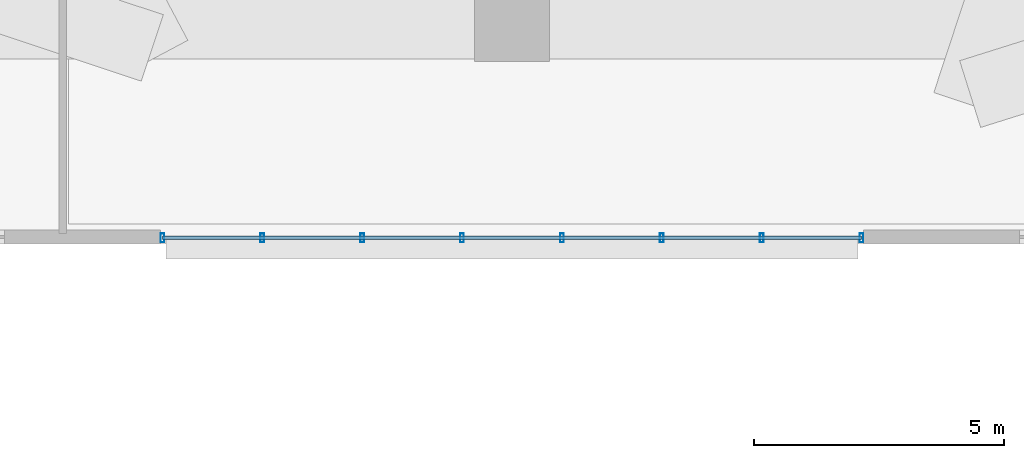
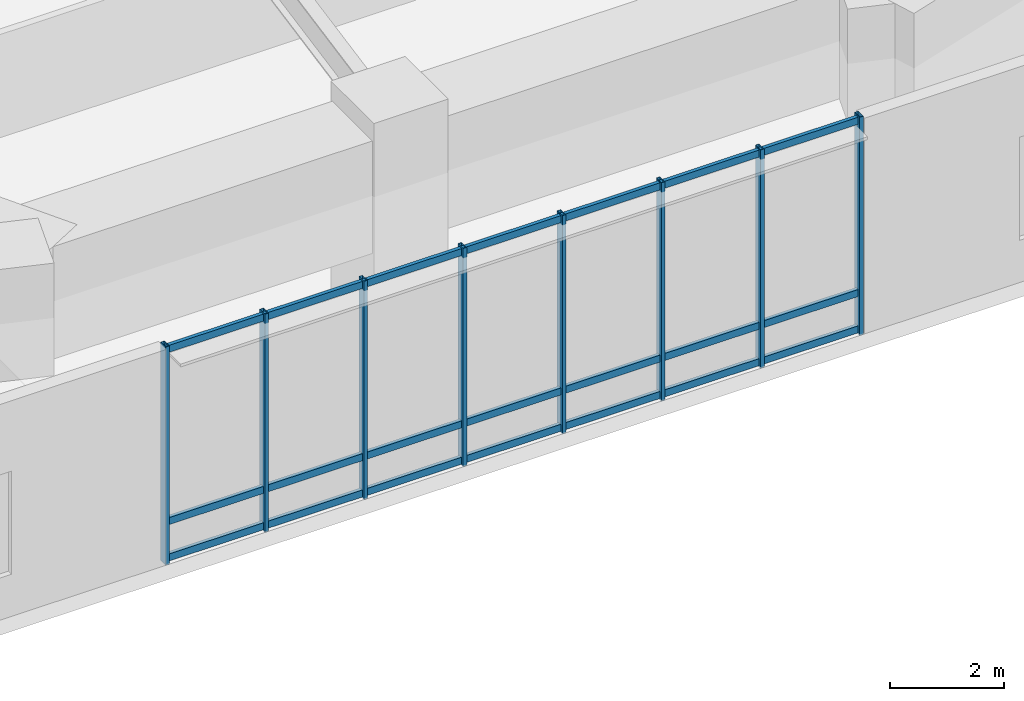
# One storey, part 5 of 26: 11 members, 1 element without a shape of its own.
"""IFC4 building model written with IfcOpenShell, lengths in metres."""

from ifc_helpers import new_model, si_unit, direction, frame, origin, origin_2d, place, context, subcontext, project, spatial, hollow_rectangle, extrude, material, material_profile, profile_set, type_object, element, aggregate, save


model = new_model("IFC4")

# Units and contexts
model_context = context("Model", 3, precision=1e-05, world=origin(), true_north=direction((0.0, 1.0)))
body_context = subcontext(model_context, "Body", "Model", "MODEL_VIEW")
ifc_project = project(units=[si_unit("LENGTHUNIT", "METRE"), si_unit("AREAUNIT", "SQUARE_METRE"), si_unit("VOLUMEUNIT", "CUBIC_METRE"), si_unit("PLANEANGLEUNIT", "RADIAN"), si_unit("MASSUNIT", "GRAM", prefix="KILO")], contexts=[model_context])

# Site, building, storey
site_placement = place(None, origin())
site = spatial("IfcSite", under=ifc_project, at=site_placement, CompositionType="ELEMENT")
building_placement = place(site_placement, origin())
building = spatial("IfcBuilding", under=site, at=building_placement, Name="Zulverin Broadcast Headquarters", CompositionType="ELEMENT")
storey_placement = place(building_placement, frame((0.0, 0.0, 20.0)))
storey = spatial("IfcBuildingStorey", under=building, at=storey_placement, Name="L04", CompositionType="ELEMENT", Elevation=20.0)

# Curtain wall, members
ifc_material_1 = material(Name="Pale-metal unitised podium curtain wall", Category="aluminium")
curtain_wall_type = type_object("IfcCurtainWallType", Name="CW-POD", PredefinedType="USERDEFINED", material=ifc_material_1)
curtain_wall_placement = place(storey_placement, origin())
curtain_wall = element("IfcCurtainWall", 1, at=curtain_wall_placement, inside=storey, type_object=curtain_wall_type, Name="L04 Unitised Curtain Wall CW-L04-S4", ObjectType="UNITISED CURTAIN WALL", PredefinedType="USERDEFINED")
ifc_material_2 = material(Name="Anodized pale-metal aluminium alloy 6063-T6", Category="aluminium")
ifc_material_profile_1 = material_profile(ifc_material_2, hollow_rectangle(XDim=0.074951171875, YDim=0.179931640625, WallThickness=0.0048828125, at=origin_2d()), Name="Anodized pale-metal aluminium alloy 6063-T6", Category="aluminium")
ifc_profile_set_1 = profile_set([ifc_material_profile_1], Name="Anodized pale-metal aluminium alloy 6063-T6")
member_type_1 = type_object("IfcMemberType", Name="CW-MUL-180", PredefinedType="MULLION", material=ifc_profile_set_1)
member_1_placement = place(storey_placement, frame((30.0, 0.1201171875, -0.030029296875), z_axis=(0.0, 0.0, 1.0), x_axis=(1.0, 0.0, 0.0)))
member_1 = element("IfcMember", 2, at=member_1_placement, type_object=member_type_1, Name="CW-L04-S4 Mullion 00", PredefinedType="MULLION", context=body_context, shape_type="SweptSolid", body=[
    extrude(hollow_rectangle(XDim=0.074951171875, YDim=0.179931640625, WallThickness=0.0048828125, at=origin_2d()), origin(), (0.0, 0.0, 1.0), 4.659912109375),
])
member_2_placement = place(storey_placement, frame((32.0, 0.1201171875, -0.030029296875), z_axis=(0.0, 0.0, 1.0), x_axis=(1.0, 0.0, 0.0)))
member_2 = element("IfcMember", 3, at=member_2_placement, type_object=member_type_1, Name="CW-L04-S4 Mullion 01", PredefinedType="MULLION", context=body_context, shape_type="SweptSolid", body=[
    extrude(hollow_rectangle(XDim=0.074951171875, YDim=0.179931640625, WallThickness=0.0048828125, at=origin_2d()), origin(), (0.0, 0.0, 1.0), 4.659912109375),
])
member_3_placement = place(storey_placement, frame((34.0, 0.1201171875, -0.030029296875), z_axis=(0.0, 0.0, 1.0), x_axis=(1.0, 0.0, 0.0)))
member_3 = element("IfcMember", 4, at=member_3_placement, type_object=member_type_1, Name="CW-L04-S4 Mullion 02", PredefinedType="MULLION", context=body_context, shape_type="SweptSolid", body=[
    extrude(hollow_rectangle(XDim=0.074951171875, YDim=0.179931640625, WallThickness=0.0048828125, at=origin_2d()), origin(), (0.0, 0.0, 1.0), 4.659912109375),
])
member_4_placement = place(storey_placement, frame((36.0, 0.1201171875, -0.030029296875), z_axis=(0.0, 0.0, 1.0), x_axis=(1.0, 0.0, 0.0)))
member_4 = element("IfcMember", 5, at=member_4_placement, type_object=member_type_1, Name="CW-L04-S4 Mullion 03", PredefinedType="MULLION", context=body_context, shape_type="SweptSolid", body=[
    extrude(hollow_rectangle(XDim=0.074951171875, YDim=0.179931640625, WallThickness=0.0048828125, at=origin_2d()), origin(), (0.0, 0.0, 1.0), 4.659912109375),
])
member_5_placement = place(storey_placement, frame((38.0, 0.1201171875, -0.030029296875), z_axis=(0.0, 0.0, 1.0), x_axis=(1.0, 0.0, 0.0)))
member_5 = element("IfcMember", 6, at=member_5_placement, type_object=member_type_1, Name="CW-L04-S4 Mullion 04", PredefinedType="MULLION", context=body_context, shape_type="SweptSolid", body=[
    extrude(hollow_rectangle(XDim=0.074951171875, YDim=0.179931640625, WallThickness=0.0048828125, at=origin_2d()), origin(), (0.0, 0.0, 1.0), 4.659912109375),
])
member_6_placement = place(storey_placement, frame((40.0, 0.1201171875, -0.030029296875), z_axis=(0.0, 0.0, 1.0), x_axis=(1.0, 0.0, 0.0)))
member_6 = element("IfcMember", 7, at=member_6_placement, type_object=member_type_1, Name="CW-L04-S4 Mullion 05", PredefinedType="MULLION", context=body_context, shape_type="SweptSolid", body=[
    extrude(hollow_rectangle(XDim=0.074951171875, YDim=0.179931640625, WallThickness=0.0048828125, at=origin_2d()), origin(), (0.0, 0.0, 1.0), 4.659912109375),
])
member_7_placement = place(storey_placement, frame((42.0, 0.1201171875, -0.030029296875), z_axis=(0.0, 0.0, 1.0), x_axis=(1.0, 0.0, 0.0)))
member_7 = element("IfcMember", 8, at=member_7_placement, type_object=member_type_1, Name="CW-L04-S4 Mullion 06", PredefinedType="MULLION", context=body_context, shape_type="SweptSolid", body=[
    extrude(hollow_rectangle(XDim=0.074951171875, YDim=0.179931640625, WallThickness=0.0048828125, at=origin_2d()), origin(), (0.0, 0.0, 1.0), 4.659912109375),
])
member_8_placement = place(storey_placement, frame((44.0, 0.1201171875, -0.030029296875), z_axis=(0.0, 0.0, 1.0), x_axis=(1.0, 0.0, 0.0)))
member_8 = element("IfcMember", 9, at=member_8_placement, type_object=member_type_1, Name="CW-L04-S4 Mullion 07", PredefinedType="MULLION", context=body_context, shape_type="SweptSolid", body=[
    extrude(hollow_rectangle(XDim=0.074951171875, YDim=0.179931640625, WallThickness=0.0048828125, at=origin_2d()), origin(), (0.0, 0.0, 1.0), 4.659912109375),
])
ifc_material_profile_2 = material_profile(ifc_material_2, hollow_rectangle(XDim=0.074951171875, YDim=0.14990234375, WallThickness=0.0048828125, at=origin_2d()), Name="Anodized pale-metal aluminium alloy 6063-T6", Category="aluminium")
ifc_profile_set_2 = profile_set([ifc_material_profile_2], Name="Anodized pale-metal aluminium alloy 6063-T6")
member_type_2 = type_object("IfcMemberType", Name="CW-TRN-150", PredefinedType="USERDEFINED", material=ifc_profile_set_2)
member_9_placement = place(storey_placement, frame((30.0, 0.1201171875, 0.074951171875), z_axis=(1.0, 0.0, 0.0), x_axis=(0.0, 1.0, 0.0)))
member_9 = element("IfcMember", 10, at=member_9_placement, type_object=member_type_2, Name="CW-L04-S4 Transom 0", ObjectType="TRANSOM", PredefinedType="USERDEFINED", context=body_context, shape_type="SweptSolid", body=[
    extrude(hollow_rectangle(XDim=0.074951171875, YDim=0.14990234375, WallThickness=0.0048828125, at=origin_2d()), origin(), (0.0, 0.0, 1.0), 14.0),
])
member_10_placement = place(storey_placement, frame((30.0, 0.1201171875, 0.85009765625), z_axis=(1.0, 0.0, 0.0), x_axis=(0.0, 1.0, 0.0)))
member_10 = element("IfcMember", 11, at=member_10_placement, type_object=member_type_2, Name="CW-L04-S4 Transom 1", ObjectType="TRANSOM", PredefinedType="USERDEFINED", context=body_context, shape_type="SweptSolid", body=[
    extrude(hollow_rectangle(XDim=0.074951171875, YDim=0.14990234375, WallThickness=0.0048828125, at=origin_2d()), origin(), (0.0, 0.0, 1.0), 14.0),
])
member_11_placement = place(storey_placement, frame((30.0, 0.1201171875, 4.52490234375), z_axis=(1.0, 0.0, 0.0), x_axis=(0.0, 1.0, 0.0)))
member_11 = element("IfcMember", 12, at=member_11_placement, type_object=member_type_2, Name="CW-L04-S4 Transom 2", ObjectType="TRANSOM", PredefinedType="USERDEFINED", context=body_context, shape_type="SweptSolid", body=[
    extrude(hollow_rectangle(XDim=0.074951171875, YDim=0.14990234375, WallThickness=0.0048828125, at=origin_2d()), origin(), (0.0, 0.0, 1.0), 14.0),
])
aggregate(curtain_wall, [member_1, member_2, member_3, member_4, member_5, member_6, member_7, member_8, member_9, member_10, member_11])

save(model, "model.ifc")
